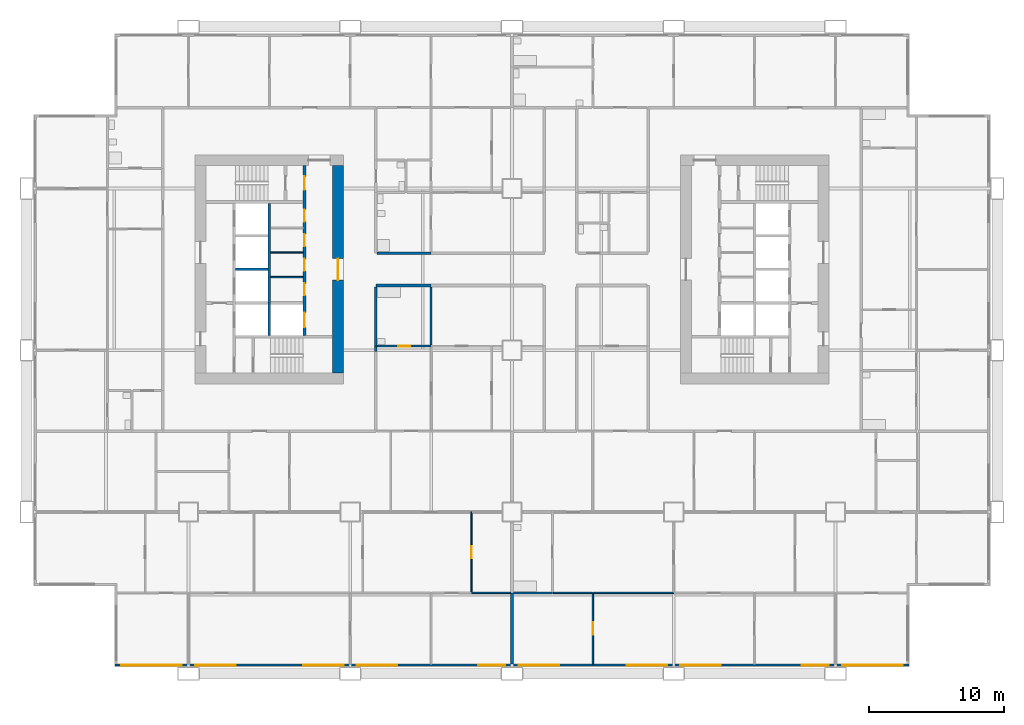
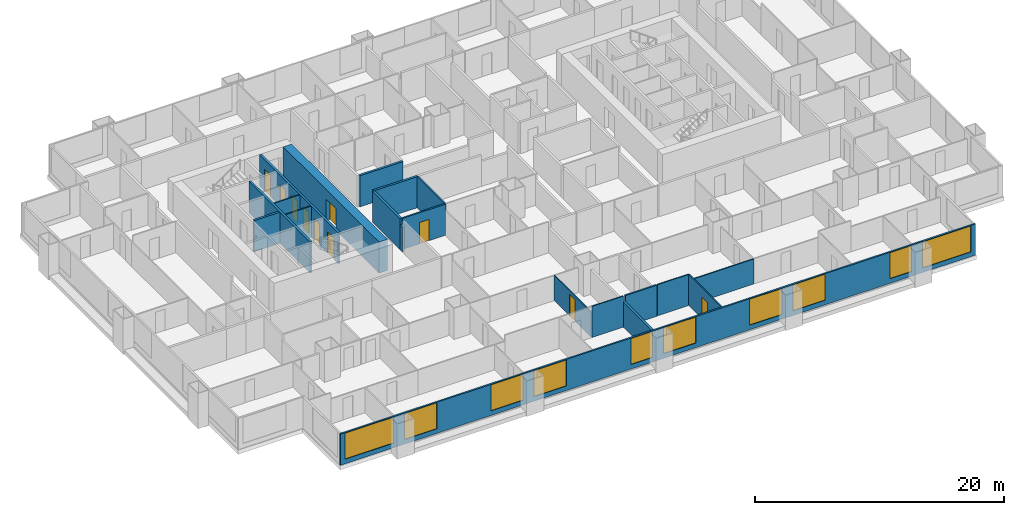
# One storey, part 4 of 13: 20 walls, 10 doors, 10 windows, 20 openings.
"""IFC4 building model written with IfcOpenShell, lengths in metres."""

from ifc_helpers import new_model, si_unit, direction, frame, frame_2d, origin, place, context, subcontext, project, spatial, rectangle, extrude, material, layer, layer_set, type_object, element, fill, save


model = new_model("IFC4")

# Units and contexts
model_context = context("Model", 3, precision=1e-05, world=origin(), true_north=direction((0.0, 1.0)))
body_context = subcontext(model_context, "Body", "Model", "MODEL_VIEW")
ifc_project = project(units=[si_unit("LENGTHUNIT", "METRE"), si_unit("AREAUNIT", "SQUARE_METRE"), si_unit("VOLUMEUNIT", "CUBIC_METRE"), si_unit("PLANEANGLEUNIT", "RADIAN"), si_unit("MASSUNIT", "GRAM", prefix="KILO")], contexts=[model_context])

# Site, building, storey
site_placement = place(None, origin())
site = spatial("IfcSite", under=ifc_project, at=site_placement, CompositionType="ELEMENT")
building_placement = place(site_placement, origin())
building = spatial("IfcBuilding", under=site, at=building_placement, Name="Kitamizu Gate Tower and Museum", CompositionType="ELEMENT")
storey_placement = place(building_placement, frame((0.0, 0.0, 81.75)))
storey = spatial("IfcBuildingStorey", under=building, at=storey_placement, Name="L20", CompositionType="ELEMENT", Elevation=81.75)

# Wall, opening, door
ifc_material_1 = material(Name="Concrete Fc60", Category="concrete")
ifc_layer_1 = layer(ifc_material_1, 0.800048828125)
ifc_layer_set_1 = layer_set([ifc_layer_1], Name="Concrete Fc60")
wall_type_1 = type_object("IfcWallType", Name="Core wall 800", PredefinedType="SHEAR", material=ifc_layer_set_1)
wall_1_placement = place(storey_placement, frame((23.10009765625, 22.300048828125, 0.0), z_axis=(0.0, 0.0, 1.0), x_axis=(0.0, 1.0, 0.0)))
wall_1 = element("IfcWall", 1, at=wall_1_placement, inside=storey, type_object=wall_type_1, Name="Core wall WARC", PredefinedType="SHEAR", context=body_context, shape_type="SweptSolid", body=[
    extrude(rectangle(XDim=15.39990234375, YDim=0.800048828125, at=frame_2d((7.699951171875, 0.0))), origin(), (0.0, 0.0, 1.0), 3.050048828125),
])
opening_1_placement = place(wall_1_placement, frame((6.89990234375, 0.0, 0.0)))
opening_1 = element("IfcOpeningElement", 2, at=opening_1_placement, cuts=wall_1, Name="Opening L20-084", PredefinedType="OPENING", context=body_context, shape_type="SweptSolid", body=[
    extrude(rectangle(XDim=1.60009765625, YDim=2.10009765625, at=frame_2d((0.800048828125, 1.050048828125))), frame((0.0, 0.41015625, 0.0), z_axis=(0.0, -1.0, 0.0), x_axis=(1.0, 0.0, 0.0)), (0.0, 0.0, 1.0), 0.820068359375),
])
ifc_material_2 = material(Name="Timber door set", Category="wood")
door_type_1 = type_object("IfcDoorType", Name="Entrance door 1600", OperationType="DOUBLE_DOOR_SINGLE_SWING", PredefinedType="DOOR", material=ifc_material_2)
door_1_placement = place(opening_1_placement, origin())
door_1 = element("IfcDoor", 3, at=door_1_placement, inside=storey, type_object=door_type_1, Name="Lobby door L20-084", OperationType="DOUBLE_DOOR_SINGLE_SWING", OverallHeight=2.10009765625, OverallWidth=1.60009765625, PredefinedType="DOOR", context=body_context, shape_type="SweptSolid", body=[
    extrude(rectangle(XDim=1.60009765625, YDim=2.10009765625, at=frame_2d((0.800048828125, 1.050048828125))), frame((0.0, 0.02490234375, 0.0), z_axis=(0.0, -1.0, 0.0), x_axis=(1.0, 0.0, 0.0)), (0.0, 0.0, 1.0), 0.050048828125),
])
fill(opening_1, door_1)

# Walls
ifc_material_3 = material(Name="Gypsum board on galvanised stud")
ifc_layer_2 = layer(ifc_material_3, 0.10009765625)
ifc_layer_set_2 = layer_set([ifc_layer_2], Name="Gypsum board on galvanised stud")
wall_type_2 = type_object("IfcWallType", Name="Partition 100", PredefinedType="PARTITIONING", material=ifc_layer_set_2)
for number, where, z_axis, x_axis, name in (
    (4, (18.10009765625, 29.425048828125, 0.0), (0.0, 0.0, 1.0), (1.0, 0.0, 0.0), "Partition WPF1"),
    (5, (18.10009765625, 31.25, 0.0), (0.0, 0.0, 1.0), (1.0, 0.0, 0.0), "Partition WPF2"),
):
    element("IfcWall", number, at=place(storey_placement, frame(where, z_axis=z_axis, x_axis=x_axis)), inside=storey, type_object=wall_type_2, Name=name, PredefinedType="PARTITIONING", context=body_context, shape_type="SweptSolid", body=[
        extrude(rectangle(XDim=2.39990234375, YDim=0.10009765625, at=frame_2d((1.199951171875, 0.0))), origin(), (0.0, 0.0, 1.0), 3.050048828125),
    ])
ifc_material_4 = material(Name="Gypsum board on galvanised stud")
ifc_layer_3 = layer(ifc_material_4, 0.10009765625)
ifc_layer_set_3 = layer_set([ifc_layer_3], Name="Gypsum board on galvanised stud")
wall_type_3 = type_object("IfcWallType", Name="Partition 100 NOT RATED", PredefinedType="PARTITIONING", material=ifc_layer_set_3)
wall_2_placement = place(storey_placement, frame((35.89990234375, 6.0, 0.0), z_axis=(0.0, 0.0, 1.0), x_axis=(-1.0, 0.0, 0.0)))
element("IfcWall", 6, at=wall_2_placement, inside=storey, type_object=wall_type_3, Name="Partition L20-011", PredefinedType="PARTITIONING", context=body_context, shape_type="SweptSolid", body=[
    extrude(rectangle(XDim=2.89990234375, YDim=0.10009765625, at=frame_2d((1.449951171875, 0.0))), origin(), (0.0, 0.0, 1.0), 3.050048828125),
])

# Wall, opening, door
wall_3_placement = place(storey_placement, frame((33.0, 6.050048828125, 0.0), z_axis=(0.0, 0.0, 1.0), x_axis=(0.0, 1.0, 0.0)))
wall_3 = element("IfcWall", 7, at=wall_3_placement, inside=storey, type_object=wall_type_3, Name="Partition L20-023", PredefinedType="PARTITIONING", context=body_context, shape_type="SweptSolid", body=[
    extrude(rectangle(XDim=5.949951171875, YDim=0.10009765625, at=frame_2d((2.97509765625, 0.0))), origin(), (0.0, 0.0, 1.0), 2.449951171875),
])
opening_2_placement = place(wall_3_placement, frame((2.52490234375, 0.0, 0.0)))
opening_2 = element("IfcOpeningElement", 8, at=opening_2_placement, cuts=wall_3, Name="Opening L20-010", PredefinedType="OPENING", context=body_context, shape_type="SweptSolid", body=[
    extrude(rectangle(XDim=0.89990234375, YDim=2.10009765625, at=frame_2d((0.449951171875, 1.050048828125))), frame((0.0, 0.06005859375, 0.0), z_axis=(0.0, -1.0, 0.0), x_axis=(1.0, 0.0, 0.0)), (0.0, 0.0, 1.0), 0.1201171875),
])
ifc_material_5 = material(Name="Timber door set", Category="wood")
door_type_2 = type_object("IfcDoorType", Name="Room door 900", OperationType="NOTDEFINED", PredefinedType="DOOR", material=ifc_material_5)
door_2_placement = place(opening_2_placement, frame((0.89990234375, 0.0, 0.0), x_axis=(-1.0, 0.0, 0.0)))
door_2 = element("IfcDoor", 9, at=door_2_placement, inside=storey, type_object=door_type_2, Name="Door L20-010", OperationType="SINGLE_SWING_RIGHT", OverallHeight=2.10009765625, OverallWidth=0.89990234375, PredefinedType="DOOR", context=body_context, shape_type="SweptSolid", body=[
    extrude(rectangle(XDim=0.89990234375, YDim=2.10009765625, at=frame_2d((0.449951171875, 1.050048828125))), frame((0.0, 0.02490234375, 0.0), z_axis=(0.0, -1.0, 0.0), x_axis=(1.0, 0.0, 0.0)), (0.0, 0.0, 1.0), 0.050048828125),
])
fill(opening_2, door_2)

wall_4_placement = place(storey_placement, frame((42.0, 0.719970703125, 0.0), z_axis=(0.0, 0.0, 1.0), x_axis=(0.0, 1.0, 0.0)))
wall_4 = element("IfcWall", 10, at=wall_4_placement, inside=storey, type_object=wall_type_3, Name="Partition L20-121", PredefinedType="PARTITIONING", context=body_context, shape_type="SweptSolid", body=[
    extrude(rectangle(XDim=5.280029296875, YDim=0.10009765625, at=frame_2d((2.64013671875, 0.0))), origin(), (0.0, 0.0, 1.0), 3.050048828125),
])
opening_3_placement = place(wall_4_placement, frame((2.18994140625, 0.0, 0.0)))
opening_3 = element("IfcOpeningElement", 11, at=opening_3_placement, cuts=wall_4, Name="Opening L20-048", PredefinedType="OPENING", context=body_context, shape_type="SweptSolid", body=[
    extrude(rectangle(XDim=0.89990234375, YDim=2.10009765625, at=frame_2d((0.449951171875, 1.050048828125))), frame((0.0, 0.06005859375, 0.0), z_axis=(0.0, -1.0, 0.0), x_axis=(1.0, 0.0, 0.0)), (0.0, 0.0, 1.0), 0.1201171875),
])
door_3_placement = place(opening_3_placement, origin())
door_3 = element("IfcDoor", 12, at=door_3_placement, inside=storey, type_object=door_type_2, Name="Door L20-048", OperationType="SINGLE_SWING_LEFT", OverallHeight=2.10009765625, OverallWidth=0.89990234375, PredefinedType="DOOR", context=body_context, shape_type="SweptSolid", body=[
    extrude(rectangle(XDim=0.89990234375, YDim=2.10009765625, at=frame_2d((0.449951171875, 1.050048828125))), frame((0.0, 0.02490234375, 0.0), z_axis=(0.0, -1.0, 0.0), x_axis=(1.0, 0.0, 0.0)), (0.0, 0.0, 1.0), 0.050048828125),
])
fill(opening_3, door_3)

# Walls
wall_5_placement = place(storey_placement, frame((41.949951171875, 6.0, 0.0), z_axis=(0.0, 0.0, 1.0), x_axis=(-1.0, 0.0, 0.0)))
element("IfcWall", 13, at=wall_5_placement, inside=storey, type_object=wall_type_3, Name="Partition L20-123", PredefinedType="PARTITIONING", context=body_context, shape_type="SweptSolid", body=[
    extrude(rectangle(XDim=2.875, YDim=0.10009765625, at=frame_2d((1.4375, 0.0))), origin(), (0.0, 0.0, 1.0), 3.050048828125),
])
wall_6_placement = place(storey_placement, frame((48.0, 6.0, 0.0), z_axis=(0.0, 0.0, 1.0), x_axis=(-1.0, 0.0, 0.0)))
element("IfcWall", 14, at=wall_6_placement, inside=storey, type_object=wall_type_3, Name="Partition L20-125", PredefinedType="PARTITIONING", context=body_context, shape_type="SweptSolid", body=[
    extrude(rectangle(XDim=5.949951171875, YDim=0.10009765625, at=frame_2d((2.97509765625, 0.0))), origin(), (0.0, 0.0, 1.0), 2.449951171875),
])

# Wall, opening, door
ifc_material_6 = material(Name="Gypsum board on galvanised stud")
ifc_layer_4 = layer(ifc_material_6, 0.14990234375)
ifc_layer_set_4 = layer_set([ifc_layer_4], Name="Gypsum board on galvanised stud")
wall_type_4 = type_object("IfcWallType", Name="Partition 150", PredefinedType="PARTITIONING", material=ifc_layer_set_4)
wall_7_placement = place(storey_placement, frame((30.0, 24.300048828125, 0.0), z_axis=(0.0, 0.0, 1.0), x_axis=(-1.0, 0.0, 0.0)))
wall_7 = element("IfcWall", 15, at=wall_7_placement, inside=storey, type_object=wall_type_4, Name="Partition L20-048", PredefinedType="PARTITIONING", context=body_context, shape_type="SweptSolid", body=[
    extrude(rectangle(XDim=4.0, YDim=0.14990234375, at=frame_2d((2.0, 0.0))), origin(), (0.0, 0.0, 1.0), 3.050048828125),
])
opening_4_placement = place(wall_7_placement, frame((1.550048828125, 0.0, 0.0)))
opening_4 = element("IfcOpeningElement", 16, at=opening_4_placement, cuts=wall_7, Name="Opening L20-019", PredefinedType="OPENING", context=body_context, shape_type="SweptSolid", body=[
    extrude(rectangle(XDim=0.89990234375, YDim=2.10009765625, at=frame_2d((0.449951171875, 1.050048828125))), frame((0.0, 0.0849609375, 0.0), z_axis=(0.0, -1.0, 0.0), x_axis=(1.0, 0.0, 0.0)), (0.0, 0.0, 1.0), 0.169921875),
])
ifc_material_7 = material(Name="Timber door set", Category="wood")
door_type_3 = type_object("IfcDoorType", Name="Bathroom door 900", OperationType="NOTDEFINED", PredefinedType="DOOR", material=ifc_material_7)
door_4_placement = place(opening_4_placement, frame((0.89990234375, 0.0, 0.0), x_axis=(-1.0, 0.0, 0.0)))
door_4 = element("IfcDoor", 17, at=door_4_placement, inside=storey, type_object=door_type_3, Name="Bathroom door L20-019", OperationType="SINGLE_SWING_RIGHT", OverallHeight=2.10009765625, OverallWidth=0.89990234375, PredefinedType="DOOR", context=body_context, shape_type="SweptSolid", body=[
    extrude(rectangle(XDim=0.89990234375, YDim=2.10009765625, at=frame_2d((0.449951171875, 1.050048828125))), frame((0.0, 0.02490234375, 0.0), z_axis=(0.0, -1.0, 0.0), x_axis=(1.0, 0.0, 0.0)), (0.0, 0.0, 1.0), 0.050048828125),
])
fill(opening_4, door_4)

# Walls
wall_8_placement = place(storey_placement, frame((30.0, 24.375, 0.0), z_axis=(0.0, 0.0, 1.0), x_axis=(0.0, 1.0, 0.0)))
element("IfcWall", 18, at=wall_8_placement, inside=storey, type_object=wall_type_4, Name="Partition L20-057", PredefinedType="PARTITIONING", context=body_context, shape_type="SweptSolid", body=[
    extrude(rectangle(XDim=4.324951171875, YDim=0.14990234375, at=frame_2d((2.16259765625, 0.0))), origin(), (0.0, 0.0, 1.0), 3.050048828125),
])
wall_9_placement = place(storey_placement, frame((39.0, 6.0, 0.0), z_axis=(0.0, 0.0, 1.0), x_axis=(-1.0, 0.0, 0.0)))
element("IfcWall", 19, at=wall_9_placement, inside=storey, type_object=wall_type_4, Name="Partition L20-122", PredefinedType="PARTITIONING", context=body_context, shape_type="SweptSolid", body=[
    extrude(rectangle(XDim=2.89990234375, YDim=0.14990234375, at=frame_2d((1.449951171875, 0.0))), origin(), (0.0, 0.0, 1.0), 3.050048828125),
])
ifc_material_8 = material(Name="Gypsum board on galvanised stud")
ifc_layer_5 = layer(ifc_material_8, 0.199951171875)
ifc_layer_set_5 = layer_set([ifc_layer_5], Name="Gypsum board on galvanised stud")
wall_type_5 = type_object("IfcWallType", Name="Partition 200", PredefinedType="PARTITIONING", material=ifc_layer_set_5)
wall_10_placement = place(storey_placement, frame((36.0, 0.719970703125, 0.0), z_axis=(0.0, 0.0, 1.0), x_axis=(0.0, 1.0, 0.0)))
element("IfcWall", 20, at=wall_10_placement, inside=storey, type_object=wall_type_5, Name="Partition L20-012", PredefinedType="PARTITIONING", context=body_context, shape_type="SweptSolid", body=[
    extrude(rectangle(XDim=5.280029296875, YDim=0.199951171875, at=frame_2d((2.64013671875, 0.0))), origin(), (0.0, 0.0, 1.0), 2.449951171875),
])
wall_11_placement = place(storey_placement, frame((25.89990234375, 24.300048828125, 0.0), z_axis=(0.0, 0.0, 1.0), x_axis=(0.0, -1.0, 0.0)))
element("IfcWall", 21, at=wall_11_placement, inside=storey, type_object=wall_type_5, Name="Partition L20-049", PredefinedType="PARTITIONING", context=body_context, shape_type="SweptSolid", body=[
    extrude(rectangle(XDim=0.400146484375, YDim=0.199951171875, at=frame_2d((0.2001953125, 0.0))), origin(), (0.0, 0.0, 1.0), 2.449951171875),
])
wall_12_placement = place(storey_placement, frame((30.0, 28.800048828125, 0.0), z_axis=(0.0, 0.0, 1.0), x_axis=(-1.0, 0.0, 0.0)))
element("IfcWall", 22, at=wall_12_placement, inside=storey, type_object=wall_type_5, Name="Partition L20-058", PredefinedType="PARTITIONING", context=body_context, shape_type="SweptSolid", body=[
    extrude(rectangle(XDim=4.10009765625, YDim=0.199951171875, at=frame_2d((2.050048828125, 0.0))), origin(), (0.0, 0.0, 1.0), 3.050048828125),
])
wall_13_placement = place(storey_placement, frame((25.89990234375, 28.699951171875, 0.0), z_axis=(0.0, 0.0, 1.0), x_axis=(0.0, -1.0, 0.0)))
element("IfcWall", 23, at=wall_13_placement, inside=storey, type_object=wall_type_5, Name="Partition L20-059", PredefinedType="PARTITIONING", context=body_context, shape_type="SweptSolid", body=[
    extrude(rectangle(XDim=4.39990234375, YDim=0.199951171875, at=frame_2d((2.199951171875, 0.0))), origin(), (0.0, 0.0, 1.0), 3.050048828125),
])
wall_14_placement = place(storey_placement, frame((26.0, 31.199951171875, 0.0), z_axis=(0.0, 0.0, 1.0), x_axis=(1.0, 0.0, 0.0)))
element("IfcWall", 24, at=wall_14_placement, inside=storey, type_object=wall_type_5, Name="Partition L20-117", PredefinedType="PARTITIONING", context=body_context, shape_type="SweptSolid", body=[
    extrude(rectangle(XDim=4.0, YDim=0.199951171875, at=frame_2d((2.0, 0.0))), origin(), (0.0, 0.0, 1.0), 3.050048828125),
])

# Wall, openings, doors
ifc_material_9 = material(Name="Concrete Fc42", Category="concrete")
ifc_layer_6 = layer(ifc_material_9, 0.199951171875)
ifc_layer_set_6 = layer_set([ifc_layer_6], Name="Concrete Fc42")
wall_type_6 = type_object("IfcWallType", Name="Shaft wall 200", PredefinedType="SOLIDWALL", material=ifc_layer_set_6)
wall_15_placement = place(storey_placement, frame((20.60009765625, 25.10009765625, 0.0), z_axis=(0.0, 0.0, 1.0), x_axis=(0.0, 1.0, 0.0)))
wall_15 = element("IfcWall", 25, at=wall_15_placement, inside=storey, type_object=wall_type_6, Name="Shaft wall WEAST", PredefinedType="SOLIDWALL", context=body_context, shape_type="SweptSolid", body=[
    extrude(rectangle(XDim=12.599853515625, YDim=0.199951171875, at=frame_2d((6.2998046875, 0.0))), origin(), (0.0, 0.0, 1.0), 3.050048828125),
])
opening_5_placement = place(wall_15_placement, frame((0.60009765625, 0.0, 0.0)))
opening_5 = element("IfcOpeningElement", 26, at=opening_5_placement, cuts=wall_15, Name="Opening LD", PredefinedType="OPENING", context=body_context, shape_type="SweptSolid", body=[
    extrude(rectangle(XDim=1.10009765625, YDim=2.10009765625, at=frame_2d((0.550048828125, 1.050048828125))), frame((0.0, 0.10986328125, 0.0), z_axis=(0.0, -1.0, 0.0), x_axis=(1.0, 0.0, 0.0)), (0.0, 0.0, 1.0), 0.219970703125),
])
opening_6_placement = place(wall_15_placement, frame((10.800048828125, 0.0, 0.0)))
opening_6 = element("IfcOpeningElement", 27, at=opening_6_placement, cuts=wall_15, Name="Opening L20-078", PredefinedType="OPENING", context=body_context, shape_type="SweptSolid", body=[
    extrude(rectangle(XDim=1.0, YDim=2.10009765625, at=frame_2d((0.5, 1.050048828125))), frame((0.0, 0.10986328125, 0.0), z_axis=(0.0, -1.0, 0.0), x_axis=(1.0, 0.0, 0.0)), (0.0, 0.0, 1.0), 0.219970703125),
])
opening_7_placement = place(wall_15_placement, frame((2.96240234375, 0.0, 0.0)))
opening_7 = element("IfcOpeningElement", 28, at=opening_7_placement, cuts=wall_15, Name="Opening L20-085", PredefinedType="OPENING", context=body_context, shape_type="SweptSolid", body=[
    extrude(rectangle(XDim=0.89990234375, YDim=2.10009765625, at=frame_2d((0.449951171875, 1.050048828125))), frame((0.0, 0.10986328125, 0.0), z_axis=(0.0, -1.0, 0.0), x_axis=(1.0, 0.0, 0.0)), (0.0, 0.0, 1.0), 0.219970703125),
])
opening_8_placement = place(wall_15_placement, frame((4.78759765625, 0.0, 0.0)))
opening_8 = element("IfcOpeningElement", 29, at=opening_8_placement, cuts=wall_15, Name="Opening L20-086", PredefinedType="OPENING", context=body_context, shape_type="SweptSolid", body=[
    extrude(rectangle(XDim=0.89990234375, YDim=2.10009765625, at=frame_2d((0.449951171875, 1.050048828125))), frame((0.0, 0.10986328125, 0.0), z_axis=(0.0, -1.0, 0.0), x_axis=(1.0, 0.0, 0.0)), (0.0, 0.0, 1.0), 0.219970703125),
])
opening_9_placement = place(wall_15_placement, frame((6.612548828125, 0.0, 0.0)))
opening_9 = element("IfcOpeningElement", 30, at=opening_9_placement, cuts=wall_15, Name="Opening L20-087", PredefinedType="OPENING", context=body_context, shape_type="SweptSolid", body=[
    extrude(rectangle(XDim=0.89990234375, YDim=2.10009765625, at=frame_2d((0.449951171875, 1.050048828125))), frame((0.0, 0.10986328125, 0.0), z_axis=(0.0, -1.0, 0.0), x_axis=(1.0, 0.0, 0.0)), (0.0, 0.0, 1.0), 0.219970703125),
])
opening_10_placement = place(wall_15_placement, frame((8.4375, 0.0, 0.0)))
opening_10 = element("IfcOpeningElement", 31, at=opening_10_placement, cuts=wall_15, Name="Opening L20-088", PredefinedType="OPENING", context=body_context, shape_type="SweptSolid", body=[
    extrude(rectangle(XDim=0.89990234375, YDim=2.10009765625, at=frame_2d((0.449951171875, 1.050048828125))), frame((0.0, 0.10986328125, 0.0), z_axis=(0.0, -1.0, 0.0), x_axis=(1.0, 0.0, 0.0)), (0.0, 0.0, 1.0), 0.219970703125),
])
ifc_material_10 = material(Name="Hollow metal door set")
door_type_4 = type_object("IfcDoorType", Name="Fire door 1000", OperationType="NOTDEFINED", PredefinedType="DOOR", material=ifc_material_10)
door_5_placement = place(opening_6_placement, origin())
door_5 = element("IfcDoor", 32, at=door_5_placement, inside=storey, type_object=door_type_4, Name="Stair lobby door L20-078", OperationType="SINGLE_SWING_RIGHT", OverallHeight=2.10009765625, OverallWidth=1.0, PredefinedType="DOOR", context=body_context, shape_type="SweptSolid", body=[
    extrude(rectangle(XDim=1.0, YDim=2.10009765625, at=frame_2d((0.5, 1.050048828125))), frame((0.0, 0.02490234375, 0.0), z_axis=(0.0, -1.0, 0.0), x_axis=(1.0, 0.0, 0.0)), (0.0, 0.0, 1.0), 0.050048828125),
])
fill(opening_6, door_5)
ifc_material_11 = material(Name="Hollow metal door set")
door_type_5 = type_object("IfcDoorType", Name="Landing door 1100", OperationType="SLIDING_TO_LEFT", PredefinedType="DOOR", material=ifc_material_11)
door_6_placement = place(opening_5_placement, origin())
door_6 = element("IfcDoor", 33, at=door_6_placement, inside=storey, type_object=door_type_5, Name="Landing door WSV1", OperationType="SLIDING_TO_LEFT", OverallHeight=2.10009765625, OverallWidth=1.10009765625, PredefinedType="DOOR", context=body_context, shape_type="SweptSolid", body=[
    extrude(rectangle(XDim=1.10009765625, YDim=2.10009765625, at=frame_2d((0.550048828125, 1.050048828125))), frame((0.0, 0.02490234375, 0.0), z_axis=(0.0, -1.0, 0.0), x_axis=(1.0, 0.0, 0.0)), (0.0, 0.0, 1.0), 0.050048828125),
])
fill(opening_5, door_6)
ifc_material_12 = material(Name="Timber door set", Category="wood")
door_type_6 = type_object("IfcDoorType", Name="Service door 900", OperationType="NOTDEFINED", PredefinedType="DOOR", material=ifc_material_12)
door_7_placement = place(opening_7_placement, origin())
door_7 = element("IfcDoor", 34, at=door_7_placement, inside=storey, type_object=door_type_6, Name="Service door L20-085", OperationType="SINGLE_SWING_RIGHT", OverallHeight=2.10009765625, OverallWidth=0.89990234375, PredefinedType="DOOR", context=body_context, shape_type="SweptSolid", body=[
    extrude(rectangle(XDim=0.89990234375, YDim=2.10009765625, at=frame_2d((0.449951171875, 1.050048828125))), frame((0.0, 0.02490234375, 0.0), z_axis=(0.0, -1.0, 0.0), x_axis=(1.0, 0.0, 0.0)), (0.0, 0.0, 1.0), 0.050048828125),
])
fill(opening_7, door_7)
door_8_placement = place(opening_8_placement, origin())
door_8 = element("IfcDoor", 35, at=door_8_placement, inside=storey, type_object=door_type_6, Name="Service door L20-086", OperationType="SINGLE_SWING_LEFT", OverallHeight=2.10009765625, OverallWidth=0.89990234375, PredefinedType="DOOR", context=body_context, shape_type="SweptSolid", body=[
    extrude(rectangle(XDim=0.89990234375, YDim=2.10009765625, at=frame_2d((0.449951171875, 1.050048828125))), frame((0.0, 0.02490234375, 0.0), z_axis=(0.0, -1.0, 0.0), x_axis=(1.0, 0.0, 0.0)), (0.0, 0.0, 1.0), 0.050048828125),
])
fill(opening_8, door_8)
door_9_placement = place(opening_9_placement, origin())
door_9 = element("IfcDoor", 36, at=door_9_placement, inside=storey, type_object=door_type_6, Name="Service door L20-087", OperationType="SINGLE_SWING_RIGHT", OverallHeight=2.10009765625, OverallWidth=0.89990234375, PredefinedType="DOOR", context=body_context, shape_type="SweptSolid", body=[
    extrude(rectangle(XDim=0.89990234375, YDim=2.10009765625, at=frame_2d((0.449951171875, 1.050048828125))), frame((0.0, 0.02490234375, 0.0), z_axis=(0.0, -1.0, 0.0), x_axis=(1.0, 0.0, 0.0)), (0.0, 0.0, 1.0), 0.050048828125),
])
fill(opening_9, door_9)
door_10_placement = place(opening_10_placement, origin())
door_10 = element("IfcDoor", 37, at=door_10_placement, inside=storey, type_object=door_type_6, Name="Service door L20-088", OperationType="SINGLE_SWING_LEFT", OverallHeight=2.10009765625, OverallWidth=0.89990234375, PredefinedType="DOOR", context=body_context, shape_type="SweptSolid", body=[
    extrude(rectangle(XDim=0.89990234375, YDim=2.10009765625, at=frame_2d((0.449951171875, 1.050048828125))), frame((0.0, 0.02490234375, 0.0), z_axis=(0.0, -1.0, 0.0), x_axis=(1.0, 0.0, 0.0)), (0.0, 0.0, 1.0), 0.050048828125),
])
fill(opening_10, door_10)

# Walls
wall_16_placement = place(storey_placement, frame((18.0, 25.10009765625, 0.0), z_axis=(0.0, 0.0, 1.0), x_axis=(0.0, 1.0, 0.0)))
element("IfcWall", 38, at=wall_16_placement, inside=storey, type_object=wall_type_6, Name="Shaft wall WMID", PredefinedType="SOLIDWALL", context=body_context, shape_type="SweptSolid", body=[
    extrude(rectangle(XDim=9.7998046875, YDim=0.199951171875, at=frame_2d((4.89990234375, 0.0))), origin(), (0.0, 0.0, 1.0), 3.050048828125),
])
wall_17_placement = place(storey_placement, frame((15.5, 30.0, 0.0), z_axis=(0.0, 0.0, 1.0), x_axis=(1.0, 0.0, 0.0)))
element("IfcWall", 39, at=wall_17_placement, inside=storey, type_object=wall_type_6, Name="Shaft wall WDVW1", PredefinedType="SOLIDWALL", context=body_context, shape_type="SweptSolid", body=[
    extrude(rectangle(XDim=2.39990234375, YDim=0.199951171875, at=frame_2d((1.199951171875, 0.0))), origin(), (0.0, 0.0, 1.0), 3.050048828125),
])

# Wall, openings, windows
ifc_material_13 = material(Name="Bronze anodised aluminium frame with insulated spandrel and tinted glass", Category="aluminium")
ifc_layer_7 = layer(ifc_material_13, 0.14990234375)
ifc_layer_set_7 = layer_set([ifc_layer_7], Name="Bronze anodised aluminium frame with insulated spandrel and tinted glass")
wall_type_7 = type_object("IfcWallType", Name="WINDOW WALL 150 BRONZE FRAME EI 30", PredefinedType="ELEMENTEDWALL", material=ifc_layer_set_7)
wall_18_placement = place(storey_placement, frame((6.56005859375, 0.635009765625, 0.0), z_axis=(0.0, 0.0, 1.0), x_axis=(1.0, 0.0, 0.0)))
wall_18 = element("IfcWall", 40, at=wall_18_placement, inside=storey, type_object=wall_type_7, Name="Window wall south L20", PredefinedType="ELEMENTEDWALL", context=body_context, shape_type="SweptSolid", body=[
    extrude(rectangle(XDim=58.8798828125, YDim=0.14990234375, at=frame_2d((29.43994140625, 0.0))), origin(), (0.0, 0.0, 1.0), 3.050048828125),
])
opening_11_placement = place(wall_18_placement, frame((0.43994140625, 0.0, 0.449951171875)))
opening_11 = element("IfcOpeningElement", 41, at=opening_11_placement, cuts=wall_18, Name="Opening W15", PredefinedType="OPENING", context=body_context, shape_type="SweptSolid", body=[
    extrude(rectangle(XDim=4.5, YDim=2.550048828125, at=frame_2d((2.25, 1.27490234375))), frame((0.0, 0.0849609375, 0.0), z_axis=(0.0, -1.0, 0.0), x_axis=(1.0, 0.0, 0.0)), (0.0, 0.0, 1.0), 0.169921875),
])
opening_12_placement = place(wall_18_placement, frame((5.93994140625, 0.0, 0.449951171875)))
opening_12 = element("IfcOpeningElement", 42, at=opening_12_placement, cuts=wall_18, Name="Opening W33", PredefinedType="OPENING", context=body_context, shape_type="SweptSolid", body=[
    extrude(rectangle(XDim=3.0, YDim=2.550048828125, at=frame_2d((1.5, 1.27490234375))), frame((0.0, 0.0849609375, 0.0), z_axis=(0.0, -1.0, 0.0), x_axis=(1.0, 0.0, 0.0)), (0.0, 0.0, 1.0), 0.169921875),
])
opening_13_placement = place(wall_18_placement, frame((13.93994140625, 0.0, 0.449951171875)))
opening_13 = element("IfcOpeningElement", 43, at=opening_13_placement, cuts=wall_18, Name="Opening W33", PredefinedType="OPENING", context=body_context, shape_type="SweptSolid", body=[
    extrude(rectangle(XDim=3.0, YDim=2.550048828125, at=frame_2d((1.5, 1.27490234375))), frame((0.0, 0.0849609375, 0.0), z_axis=(0.0, -1.0, 0.0), x_axis=(1.0, 0.0, 0.0)), (0.0, 0.0, 1.0), 0.169921875),
])
opening_14_placement = place(wall_18_placement, frame((17.93994140625, 0.0, 0.449951171875)))
opening_14 = element("IfcOpeningElement", 44, at=opening_14_placement, cuts=wall_18, Name="Opening W33", PredefinedType="OPENING", context=body_context, shape_type="SweptSolid", body=[
    extrude(rectangle(XDim=3.0, YDim=2.550048828125, at=frame_2d((1.5, 1.27490234375))), frame((0.0, 0.0849609375, 0.0), z_axis=(0.0, -1.0, 0.0), x_axis=(1.0, 0.0, 0.0)), (0.0, 0.0, 1.0), 0.169921875),
])
opening_15_placement = place(wall_18_placement, frame((26.93994140625, 0.0, 0.449951171875)))
opening_15 = element("IfcOpeningElement", 45, at=opening_15_placement, cuts=wall_18, Name="Opening W2", PredefinedType="OPENING", context=body_context, shape_type="SweptSolid", body=[
    extrude(rectangle(XDim=2.0, YDim=2.550048828125, at=frame_2d((1.0, 1.27490234375))), frame((0.0, 0.0849609375, 0.0), z_axis=(0.0, -1.0, 0.0), x_axis=(1.0, 0.0, 0.0)), (0.0, 0.0, 1.0), 0.169921875),
])
opening_16_placement = place(wall_18_placement, frame((29.93994140625, 0.0, 0.449951171875)))
opening_16 = element("IfcOpeningElement", 46, at=opening_16_placement, cuts=wall_18, Name="Opening W33", PredefinedType="OPENING", context=body_context, shape_type="SweptSolid", body=[
    extrude(rectangle(XDim=3.0, YDim=2.550048828125, at=frame_2d((1.5, 1.27490234375))), frame((0.0, 0.0849609375, 0.0), z_axis=(0.0, -1.0, 0.0), x_axis=(1.0, 0.0, 0.0)), (0.0, 0.0, 1.0), 0.169921875),
])
opening_17_placement = place(wall_18_placement, frame((37.93994140625, 0.0, 0.449951171875)))
opening_17 = element("IfcOpeningElement", 47, at=opening_17_placement, cuts=wall_18, Name="Opening W33", PredefinedType="OPENING", context=body_context, shape_type="SweptSolid", body=[
    extrude(rectangle(XDim=3.0, YDim=2.550048828125, at=frame_2d((1.5, 1.27490234375))), frame((0.0, 0.0849609375, 0.0), z_axis=(0.0, -1.0, 0.0), x_axis=(1.0, 0.0, 0.0)), (0.0, 0.0, 1.0), 0.169921875),
])
opening_18_placement = place(wall_18_placement, frame((41.93994140625, 0.0, 0.449951171875)))
opening_18 = element("IfcOpeningElement", 48, at=opening_18_placement, cuts=wall_18, Name="Opening W33", PredefinedType="OPENING", context=body_context, shape_type="SweptSolid", body=[
    extrude(rectangle(XDim=3.0, YDim=2.550048828125, at=frame_2d((1.5, 1.27490234375))), frame((0.0, 0.0849609375, 0.0), z_axis=(0.0, -1.0, 0.0), x_axis=(1.0, 0.0, 0.0)), (0.0, 0.0, 1.0), 0.169921875),
])
opening_19_placement = place(wall_18_placement, frame((50.93994140625, 0.0, 0.449951171875)))
opening_19 = element("IfcOpeningElement", 49, at=opening_19_placement, cuts=wall_18, Name="Opening W2", PredefinedType="OPENING", context=body_context, shape_type="SweptSolid", body=[
    extrude(rectangle(XDim=2.0, YDim=2.550048828125, at=frame_2d((1.0, 1.27490234375))), frame((0.0, 0.0849609375, 0.0), z_axis=(0.0, -1.0, 0.0), x_axis=(1.0, 0.0, 0.0)), (0.0, 0.0, 1.0), 0.169921875),
])
opening_20_placement = place(wall_18_placement, frame((53.93994140625, 0.0, 0.449951171875)))
opening_20 = element("IfcOpeningElement", 50, at=opening_20_placement, cuts=wall_18, Name="Opening W15", PredefinedType="OPENING", context=body_context, shape_type="SweptSolid", body=[
    extrude(rectangle(XDim=4.5, YDim=2.550048828125, at=frame_2d((2.25, 1.27490234375))), frame((0.0, 0.0849609375, 0.0), z_axis=(0.0, -1.0, 0.0), x_axis=(1.0, 0.0, 0.0)), (0.0, 0.0, 1.0), 0.169921875),
])
ifc_material_14 = material(Name="Bronze anodised aluminium frame, tinted triple glazing", Category="aluminium")
window_type_1 = type_object("IfcWindowType", Name="WINDOW 2000 x 2550 SILL 450", PartitioningType="SINGLE_PANEL", PredefinedType="WINDOW", material=ifc_material_14)
window_1_placement = place(opening_15_placement, origin())
window_1 = element("IfcWindow", 51, at=window_1_placement, inside=storey, type_object=window_type_1, Name="Window W2 L20", OverallHeight=2.550048828125, OverallWidth=2.0, PartitioningType="SINGLE_PANEL", PredefinedType="WINDOW", context=body_context, shape_type="SweptSolid", body=[
    extrude(rectangle(XDim=2.0, YDim=2.550048828125, at=frame_2d((1.0, 1.27490234375))), frame((0.0, 0.030029296875, 0.0), z_axis=(0.0, -1.0, 0.0), x_axis=(1.0, 0.0, 0.0)), (0.0, 0.0, 1.0), 0.06005859375),
])
fill(opening_15, window_1)
window_2_placement = place(opening_19_placement, origin())
window_2 = element("IfcWindow", 52, at=window_2_placement, inside=storey, type_object=window_type_1, Name="Window W2 L20", OverallHeight=2.550048828125, OverallWidth=2.0, PartitioningType="SINGLE_PANEL", PredefinedType="WINDOW", context=body_context, shape_type="SweptSolid", body=[
    extrude(rectangle(XDim=2.0, YDim=2.550048828125, at=frame_2d((1.0, 1.27490234375))), frame((0.0, 0.030029296875, 0.0), z_axis=(0.0, -1.0, 0.0), x_axis=(1.0, 0.0, 0.0)), (0.0, 0.0, 1.0), 0.06005859375),
])
fill(opening_19, window_2)
ifc_material_15 = material(Name="Bronze anodised aluminium frame, tinted triple glazing", Category="aluminium")
window_type_2 = type_object("IfcWindowType", Name="WINDOW 3000 x 2550 SILL 450", PartitioningType="SINGLE_PANEL", PredefinedType="WINDOW", material=ifc_material_15)
window_3_placement = place(opening_12_placement, origin())
window_3 = element("IfcWindow", 53, at=window_3_placement, inside=storey, type_object=window_type_2, Name="Window W33 L20", OverallHeight=2.550048828125, OverallWidth=3.0, PartitioningType="SINGLE_PANEL", PredefinedType="WINDOW", context=body_context, shape_type="SweptSolid", body=[
    extrude(rectangle(XDim=3.0, YDim=2.550048828125, at=frame_2d((1.5, 1.27490234375))), frame((0.0, 0.030029296875, 0.0), z_axis=(0.0, -1.0, 0.0), x_axis=(1.0, 0.0, 0.0)), (0.0, 0.0, 1.0), 0.06005859375),
])
fill(opening_12, window_3)
window_4_placement = place(opening_13_placement, origin())
window_4 = element("IfcWindow", 54, at=window_4_placement, inside=storey, type_object=window_type_2, Name="Window W33 L20", OverallHeight=2.550048828125, OverallWidth=3.0, PartitioningType="SINGLE_PANEL", PredefinedType="WINDOW", context=body_context, shape_type="SweptSolid", body=[
    extrude(rectangle(XDim=3.0, YDim=2.550048828125, at=frame_2d((1.5, 1.27490234375))), frame((0.0, 0.030029296875, 0.0), z_axis=(0.0, -1.0, 0.0), x_axis=(1.0, 0.0, 0.0)), (0.0, 0.0, 1.0), 0.06005859375),
])
fill(opening_13, window_4)
window_5_placement = place(opening_14_placement, origin())
window_5 = element("IfcWindow", 55, at=window_5_placement, inside=storey, type_object=window_type_2, Name="Window W33 L20", OverallHeight=2.550048828125, OverallWidth=3.0, PartitioningType="SINGLE_PANEL", PredefinedType="WINDOW", context=body_context, shape_type="SweptSolid", body=[
    extrude(rectangle(XDim=3.0, YDim=2.550048828125, at=frame_2d((1.5, 1.27490234375))), frame((0.0, 0.030029296875, 0.0), z_axis=(0.0, -1.0, 0.0), x_axis=(1.0, 0.0, 0.0)), (0.0, 0.0, 1.0), 0.06005859375),
])
fill(opening_14, window_5)
window_6_placement = place(opening_16_placement, origin())
window_6 = element("IfcWindow", 56, at=window_6_placement, inside=storey, type_object=window_type_2, Name="Window W33 L20", OverallHeight=2.550048828125, OverallWidth=3.0, PartitioningType="SINGLE_PANEL", PredefinedType="WINDOW", context=body_context, shape_type="SweptSolid", body=[
    extrude(rectangle(XDim=3.0, YDim=2.550048828125, at=frame_2d((1.5, 1.27490234375))), frame((0.0, 0.030029296875, 0.0), z_axis=(0.0, -1.0, 0.0), x_axis=(1.0, 0.0, 0.0)), (0.0, 0.0, 1.0), 0.06005859375),
])
fill(opening_16, window_6)
window_7_placement = place(opening_17_placement, origin())
window_7 = element("IfcWindow", 57, at=window_7_placement, inside=storey, type_object=window_type_2, Name="Window W33 L20", OverallHeight=2.550048828125, OverallWidth=3.0, PartitioningType="SINGLE_PANEL", PredefinedType="WINDOW", context=body_context, shape_type="SweptSolid", body=[
    extrude(rectangle(XDim=3.0, YDim=2.550048828125, at=frame_2d((1.5, 1.27490234375))), frame((0.0, 0.030029296875, 0.0), z_axis=(0.0, -1.0, 0.0), x_axis=(1.0, 0.0, 0.0)), (0.0, 0.0, 1.0), 0.06005859375),
])
fill(opening_17, window_7)
window_8_placement = place(opening_18_placement, origin())
window_8 = element("IfcWindow", 58, at=window_8_placement, inside=storey, type_object=window_type_2, Name="Window W33 L20", OverallHeight=2.550048828125, OverallWidth=3.0, PartitioningType="SINGLE_PANEL", PredefinedType="WINDOW", context=body_context, shape_type="SweptSolid", body=[
    extrude(rectangle(XDim=3.0, YDim=2.550048828125, at=frame_2d((1.5, 1.27490234375))), frame((0.0, 0.030029296875, 0.0), z_axis=(0.0, -1.0, 0.0), x_axis=(1.0, 0.0, 0.0)), (0.0, 0.0, 1.0), 0.06005859375),
])
fill(opening_18, window_8)
ifc_material_16 = material(Name="Bronze anodised aluminium frame, tinted triple glazing", Category="aluminium")
window_type_3 = type_object("IfcWindowType", Name="WINDOW 4500 x 2550 SILL 450", PartitioningType="SINGLE_PANEL", PredefinedType="WINDOW", material=ifc_material_16)
window_9_placement = place(opening_11_placement, origin())
window_9 = element("IfcWindow", 59, at=window_9_placement, inside=storey, type_object=window_type_3, Name="Window W15 L20", OverallHeight=2.550048828125, OverallWidth=4.5, PartitioningType="SINGLE_PANEL", PredefinedType="WINDOW", context=body_context, shape_type="SweptSolid", body=[
    extrude(rectangle(XDim=4.5, YDim=2.550048828125, at=frame_2d((2.25, 1.27490234375))), frame((0.0, 0.030029296875, 0.0), z_axis=(0.0, -1.0, 0.0), x_axis=(1.0, 0.0, 0.0)), (0.0, 0.0, 1.0), 0.06005859375),
])
fill(opening_11, window_9)
window_10_placement = place(opening_20_placement, origin())
window_10 = element("IfcWindow", 60, at=window_10_placement, inside=storey, type_object=window_type_3, Name="Window W15 L20", OverallHeight=2.550048828125, OverallWidth=4.5, PartitioningType="SINGLE_PANEL", PredefinedType="WINDOW", context=body_context, shape_type="SweptSolid", body=[
    extrude(rectangle(XDim=4.5, YDim=2.550048828125, at=frame_2d((2.25, 1.27490234375))), frame((0.0, 0.030029296875, 0.0), z_axis=(0.0, -1.0, 0.0), x_axis=(1.0, 0.0, 0.0)), (0.0, 0.0, 1.0), 0.06005859375),
])
fill(opening_20, window_10)

save(model, "model.ifc")
